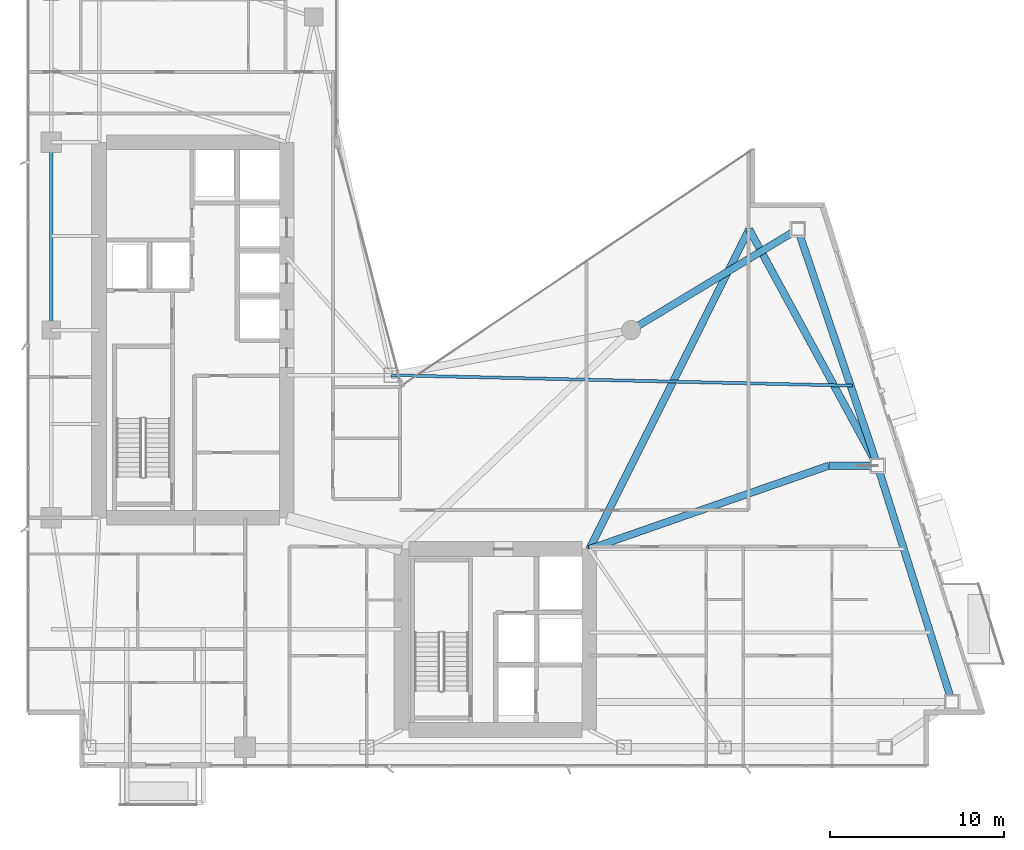
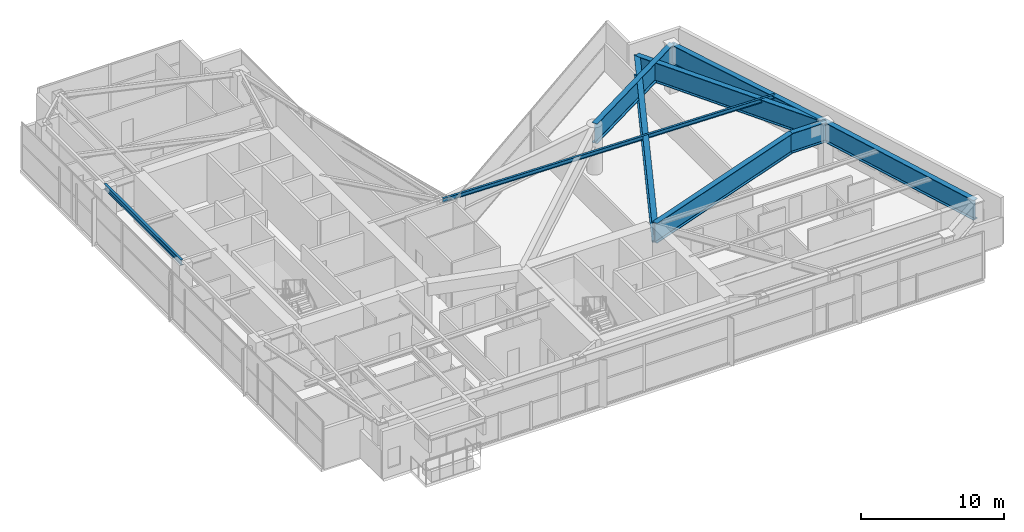
# One storey, part 16 of 30: 9 beams.
"""IFC4 building model written with IfcOpenShell, lengths in metres."""

from ifc_helpers import new_model, si_unit, direction, frame, origin, origin_2d, place, context, subcontext, project, spatial, i_section, extrude, material, material_profile, profile_set, type_object, element, save


model = new_model("IFC4")

# Units and contexts
model_context = context("Model", 3, precision=1e-05, world=origin(), true_north=direction((0.0, 1.0)))
body_context = subcontext(model_context, "Body", "Model", "MODEL_VIEW")
ifc_project = project(units=[si_unit("LENGTHUNIT", "METRE"), si_unit("AREAUNIT", "SQUARE_METRE"), si_unit("VOLUMEUNIT", "CUBIC_METRE"), si_unit("PLANEANGLEUNIT", "RADIAN"), si_unit("MASSUNIT", "GRAM", prefix="KILO")], contexts=[model_context])

# Site, building, storey
site_placement = place(None, origin())
site = spatial("IfcSite", under=ifc_project, at=site_placement, CompositionType="ELEMENT")
building_placement = place(site_placement, origin())
building = spatial("IfcBuilding", under=site, at=building_placement, Name="Calvorn Quay Hotel", CompositionType="ELEMENT")
storey_placement = place(building_placement, frame((0.0, 0.0, 195.10009765625)))
storey = spatial("IfcBuildingStorey", under=building, at=storey_placement, Name="L48", CompositionType="ELEMENT", Elevation=195.10009765625)

# Beams
ifc_material_1 = material(Name="Steel Q355B", Category="steel")
ifc_material_profile_1 = material_profile(ifc_material_1, i_section(OverallWidth=0.175048828125, OverallDepth=0.35009765625, WebThickness=0.007080078125, FlangeThickness=0.010986328125, FilletRadius=0.013916015625, at=origin_2d()), Name="HN350x175x7x11")
ifc_profile_set_1 = profile_set([ifc_material_profile_1], Name="Steel Q355B")
beam_type_1 = type_object("IfcBeamType", Name="BM-JOIST-SEC", PredefinedType="JOIST", material=ifc_profile_set_1)
beam_1_placement = place(storey_placement, frame((21.0, 25.0, 3.875), z_axis=(0.999744219355, -0.022616274365, 0.0), x_axis=(0.022616274365, 0.999744219355, 0.0)))
element("IfcBeam", 1, at=beam_1_placement, inside=storey, type_object=beam_type_1, Name="Beam BJ-L48-E3", PredefinedType="JOIST", context=body_context, shape_type="SweptSolid", body=[
    extrude(i_section(OverallWidth=0.175048828125, OverallDepth=0.35009765625, WebThickness=0.007080078125, FlangeThickness=0.010986328125, FilletRadius=0.013916015625, at=origin_2d()), origin(), (0.0, 0.0, 1.0), 26.533935546875),
])
ifc_material_2 = material(Name="Steel Q355B", Category="steel")
ifc_material_profile_2 = material_profile(ifc_material_2, i_section(OverallWidth=0.199951171875, OverallDepth=0.449951171875, WebThickness=0.009033203125, FlangeThickness=0.013916015625, FilletRadius=0.01611328125, at=origin_2d()), Name="HN450x200x9x14")
ifc_profile_set_2 = profile_set([ifc_material_profile_2], Name="Steel Q355B")
beam_type_2 = type_object("IfcBeamType", Name="BM-SPANDREL-Z3", PredefinedType="SPANDREL", material=ifc_profile_set_2)
beam_2_placement = place(storey_placement, frame((1.449951171875, 27.60009765625, 3.824951171875), z_axis=(0.0, 1.0, 0.0), x_axis=(-1.0, 0.0, 0.0)))
element("IfcBeam", 2, at=beam_2_placement, inside=storey, type_object=beam_type_2, Name="Beam BSP-L48-W3", PredefinedType="SPANDREL", context=body_context, shape_type="SweptSolid", body=[
    extrude(i_section(OverallWidth=0.199951171875, OverallDepth=0.449951171875, WebThickness=0.009033203125, FlangeThickness=0.013916015625, FilletRadius=0.01611328125, at=origin_2d()), origin(), (0.0, 0.0, 1.0), 10.7998046875),
])
ifc_material_3 = material(Name="Steel Q420GJC", Category="steel")
ifc_material_profile_3 = material_profile(ifc_material_3, i_section(OverallWidth=0.419921875, OverallDepth=1.699951171875, WebThickness=0.02392578125, FlangeThickness=0.0419921875, FilletRadius=0.02392578125, at=origin_2d()), Name="HN1700x420x24x42")
ifc_profile_set_3 = profile_set([ifc_material_profile_3], Name="Steel Q420GJC")
beam_type_3 = type_object("IfcBeamType", Name="BM-XFER-SAWTOOTH", PredefinedType="BEAM", material=ifc_profile_set_3)
beam_3_placement = place(storey_placement, frame((32.39990234375, 15.0, 3.199951171875), z_axis=(0.944318977239, 0.329031410699, 0.0), x_axis=(-0.329031410699, 0.944318977239, 0.0)))
element("IfcBeam", 3, at=beam_3_placement, inside=storey, type_object=beam_type_3, Name="Beam BTG-L48-C-ET2A", PredefinedType="BEAM", context=body_context, shape_type="SweptSolid", body=[
    extrude(i_section(OverallWidth=0.419921875, OverallDepth=1.699951171875, WebThickness=0.02392578125, FlangeThickness=0.0419921875, FilletRadius=0.02392578125, at=origin_2d()), origin(), (0.0, 0.0, 1.0), 14.58837890625),
])
beam_4_placement = place(storey_placement, frame((46.176025390625, 19.800048828125, 3.199951171875), z_axis=(1.0, 0.0, 0.0), x_axis=(0.0, 1.0, 0.0)))
element("IfcBeam", 4, at=beam_4_placement, inside=storey, type_object=beam_type_3, Name="Beam BTG-L48-C-ET2B", PredefinedType="BEAM", context=body_context, shape_type="SweptSolid", body=[
    extrude(i_section(OverallWidth=0.419921875, OverallDepth=1.699951171875, WebThickness=0.02392578125, FlangeThickness=0.0419921875, FilletRadius=0.02392578125, at=origin_2d()), origin(), (0.0, 0.0, 1.0), 2.800048828125),
])
beam_5_placement = place(storey_placement, frame((32.39990234375, 15.0, 3.199951171875), z_axis=(0.446871705446, 0.894598054364, 0.0), x_axis=(-0.894598054364, 0.446871705446, 0.0)))
element("IfcBeam", 5, at=beam_5_placement, inside=storey, type_object=beam_type_3, Name="Beam BTG-L48-C-ET3A", PredefinedType="BEAM", context=body_context, shape_type="SweptSolid", body=[
    extrude(i_section(OverallWidth=0.419921875, OverallDepth=1.699951171875, WebThickness=0.02392578125, FlangeThickness=0.0419921875, FilletRadius=0.02392578125, at=origin_2d()), origin(), (0.0, 0.0, 1.0), 20.56787109375),
])
beam_6_placement = place(storey_placement, frame((41.591064453125, 33.39990234375, 3.199951171875), z_axis=(0.477203264723, -0.878792947251, 0.0), x_axis=(0.878792947251, 0.477203264723, 0.0)))
element("IfcBeam", 6, at=beam_6_placement, inside=storey, type_object=beam_type_3, Name="Beam BTG-L48-C-ET3B", PredefinedType="BEAM", context=body_context, shape_type="SweptSolid", body=[
    extrude(i_section(OverallWidth=0.419921875, OverallDepth=1.699951171875, WebThickness=0.02392578125, FlangeThickness=0.0419921875, FilletRadius=0.02392578125, at=origin_2d()), origin(), (0.0, 0.0, 1.0), 15.4755859375),
])
beam_7_placement = place(storey_placement, frame((53.260986328125, 6.199951171875, 3.199951171875), z_axis=(-0.300502802767, 0.953780931624, 0.0), x_axis=(-0.953780931624, -0.300502802767, 0.0)))
element("IfcBeam", 7, at=beam_7_placement, inside=storey, type_object=beam_type_3, Name="Beam BSP-L48-E1", PredefinedType="BEAM", context=body_context, shape_type="SweptSolid", body=[
    extrude(i_section(OverallWidth=0.419921875, OverallDepth=1.699951171875, WebThickness=0.02392578125, FlangeThickness=0.0419921875, FilletRadius=0.02392578125, at=origin_2d()), origin(), (0.0, 0.0, 1.0), 14.259033203125),
])
beam_8_placement = place(storey_placement, frame((48.97607421875, 19.800048828125, 3.199951171875), z_axis=(-0.319466515944, 0.947597564998, 0.0), x_axis=(-0.947597564998, -0.319466515944, 0.0)))
element("IfcBeam", 8, at=beam_8_placement, inside=storey, type_object=beam_type_3, Name="Beam BSP-L48-E2", PredefinedType="BEAM", context=body_context, shape_type="SweptSolid", body=[
    extrude(i_section(OverallWidth=0.419921875, OverallDepth=1.699951171875, WebThickness=0.02392578125, FlangeThickness=0.0419921875, FilletRadius=0.02392578125, at=origin_2d()), origin(), (0.0, 0.0, 1.0), 14.35205078125),
])
beam_9_placement = place(storey_placement, frame((44.39111328125, 33.39990234375, 3.199951171875), z_axis=(-0.855710002292, -0.517455690835, 0.0), x_axis=(0.517455690835, -0.855710002292, 0.0)))
element("IfcBeam", 9, at=beam_9_placement, inside=storey, type_object=beam_type_3, Name="Beam BSP-L48-E3", PredefinedType="BEAM", context=body_context, shape_type="SweptSolid", body=[
    extrude(i_section(OverallWidth=0.419921875, OverallDepth=1.699951171875, WebThickness=0.02392578125, FlangeThickness=0.0419921875, FilletRadius=0.02392578125, at=origin_2d()), origin(), (0.0, 0.0, 1.0), 11.208251953125),
])

save(model, "model.ifc")
